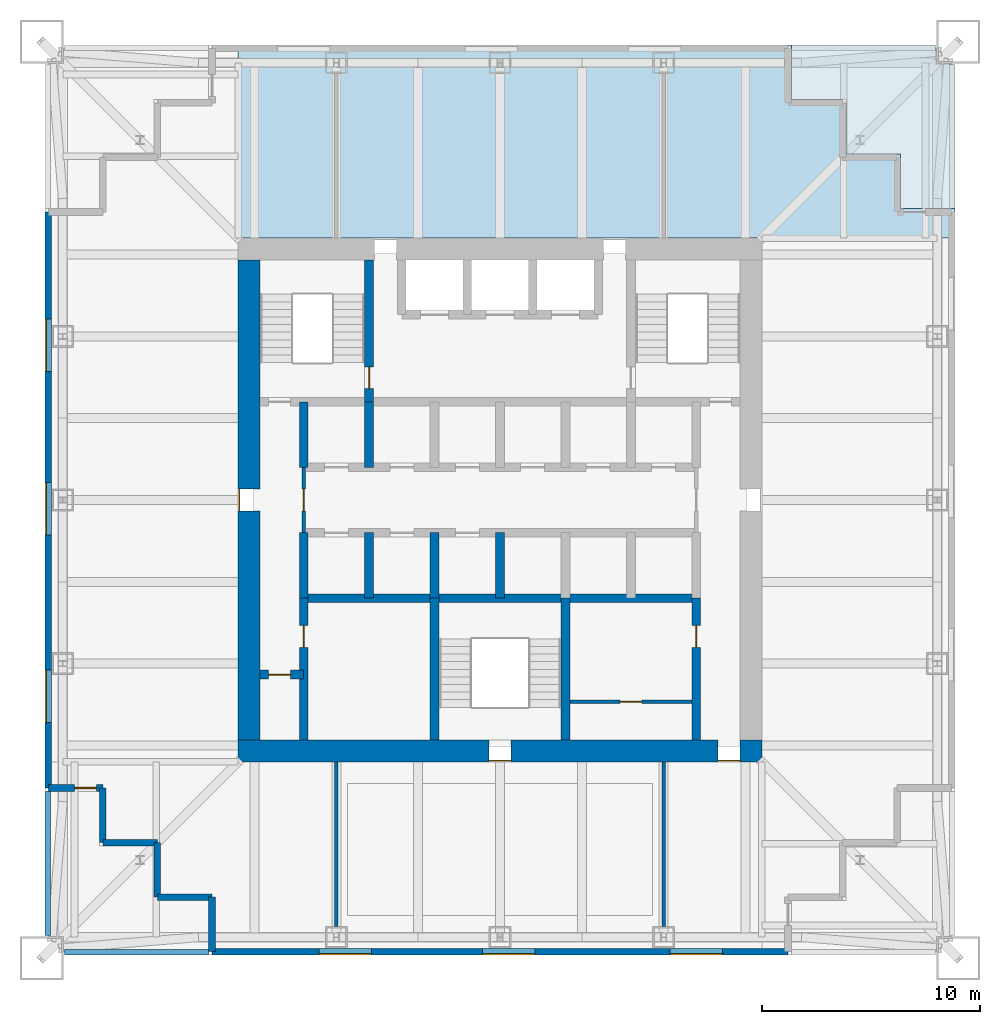
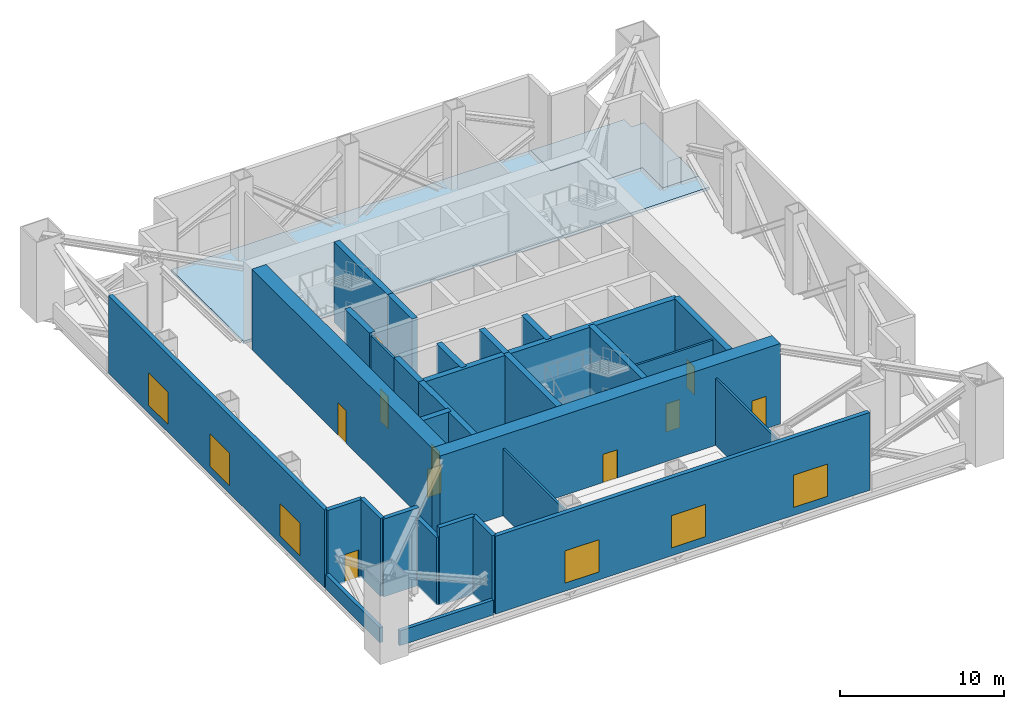
# One storey, part 3 of 7: 29 walls, 10 doors, 6 windows, 2 slabs, 16 openings.
"""IFC4 building model written with IfcOpenShell, lengths in metres."""

from ifc_helpers import new_model, si_unit, direction, frame, frame_2d, origin, place, context, subcontext, project, spatial, polyline, rectangle, outline, extrude, material, layer, layer_set, type_object, element, fill, save


model = new_model("IFC4")

# Units and contexts
model_context = context("Model", 3, precision=1e-05, world=origin(), true_north=direction((0.0, 1.0)))
body_context = subcontext(model_context, "Body", "Model", "MODEL_VIEW")
ifc_project = project(units=[si_unit("LENGTHUNIT", "METRE"), si_unit("AREAUNIT", "SQUARE_METRE"), si_unit("VOLUMEUNIT", "CUBIC_METRE"), si_unit("PLANEANGLEUNIT", "RADIAN"), si_unit("MASSUNIT", "GRAM", prefix="KILO")], contexts=[model_context])

# Site, building, storey
site_placement = place(None, origin())
site = spatial("IfcSite", under=ifc_project, at=site_placement, CompositionType="ELEMENT")
building_placement = place(site_placement, origin())
building = spatial("IfcBuilding", under=site, at=building_placement, Name="Tarangal Relay Tower", CompositionType="ELEMENT")
storey_placement = place(building_placement, frame((0.0, 0.0, 335.89990234375)))
storey = spatial("IfcBuildingStorey", under=building, at=storey_placement, Name="L75", CompositionType="ELEMENT", Elevation=335.89990234375)

# Slabs
ifc_material_1 = material(Name="Concrete fc' 35 MPa", Category="concrete")
ifc_layer_1 = layer(ifc_material_1, 0.199951171875)
ifc_layer_set_1 = layer_set([ifc_layer_1], Name="Floor slab 200")
slab_type_1 = type_object("IfcSlabType", Name="Floor slab 200", PredefinedType="FLOOR", material=ifc_layer_set_1)
slab_1_placement = place(storey_placement, frame((0.0, 0.0, -0.199951171875)))
element("IfcSlab", 1, at=slab_1_placement, inside=storey, type_object=slab_type_1, Name="Floor slab FS2 L75 north bay", PredefinedType="FLOOR", context=body_context, shape_type="SweptSolid", body=[
    extrude(outline(polyline([(13.35009765625, 20.85009765625), (13.35009765625, 18.35009765625), (15.85009765625, 18.35009765625), (15.85009765625, 15.85009765625), (18.35009765625, 15.85009765625), (18.35009765625, 13.35009765625), (20.85009765625, 13.35009765625), (20.85009765625, 12.0), (-12.0, 12.0), (-12.0, 20.85009765625), (13.35009765625, 20.85009765625)])), origin(), (0.0, 0.0, 1.0), 0.199951171875),
])
ifc_layer_2 = layer(ifc_material_1, 0.199951171875)
ifc_layer_set_2 = layer_set([ifc_layer_2], Name="Ledge slab 200")
slab_type_2 = type_object("IfcSlabType", Name="Ledge slab 200", PredefinedType="FLOOR", material=ifc_layer_set_2)
slab_2_placement = place(storey_placement, frame((0.0, 0.0, -0.199951171875)))
element("IfcSlab", 2, at=slab_2_placement, inside=storey, type_object=slab_type_2, Name="Corner ledge NE L75", PredefinedType="FLOOR", context=body_context, shape_type="SweptSolid", body=[
    extrude(outline(polyline([(13.35009765625, 20.85009765625), (13.35009765625, 18.35009765625), (15.85009765625, 18.35009765625), (15.85009765625, 15.85009765625), (18.35009765625, 15.85009765625), (18.35009765625, 13.35009765625), (20.85009765625, 13.35009765625), (20.85009765625, 19.949951171875), (19.949951171875, 19.949951171875), (19.949951171875, 20.85009765625), (13.35009765625, 20.85009765625)])), origin(), (0.0, 0.0, 1.0), 0.199951171875),
])

# Wall
ifc_material_2 = material(Name="Concrete fc' 60 MPa", Category="concrete")
ifc_layer_3 = layer(ifc_material_2, 0.39990234375)
ifc_layer_set_3 = layer_set([ifc_layer_3], Name="Core inner wall 400")
wall_type_1 = type_object("IfcWallType", Name="Core inner wall 400", PredefinedType="SHEAR", material=ifc_layer_set_3)
wall_1_placement = place(storey_placement, frame((-9.0, -4.5, 0.0), z_axis=(0.0, 0.0, 1.0), x_axis=(1.0, 0.0, 0.0)))
element("IfcWall", 3, at=wall_1_placement, inside=storey, type_object=wall_type_1, Name="Core wall YM45 L75", PredefinedType="SHEAR", context=body_context, shape_type="SweptSolid", body=[
    extrude(rectangle(XDim=18.0, YDim=0.39990234375, at=frame_2d((9.0, 0.0))), origin(), (0.0, 0.0, 1.0), 6.0),
])

# Wall, opening, door
wall_2_placement = place(storey_placement, frame((-11.0, -8.0, 0.0), z_axis=(0.0, 0.0, 1.0), x_axis=(1.0, 0.0, 0.0)))
wall_2 = element("IfcWall", 4, at=wall_2_placement, inside=storey, type_object=wall_type_1, Name="Core wall YM8 L75", PredefinedType="SHEAR", context=body_context, shape_type="SweptSolid", body=[
    extrude(rectangle(XDim=2.0, YDim=0.39990234375, at=frame_2d((1.0, 0.0))), origin(), (0.0, 0.0, 1.0), 6.0),
])
opening_1_placement = place(wall_2_placement, frame((0.39990234375, 0.0, 0.0)))
opening_1 = element("IfcOpeningElement", 5, at=opening_1_placement, cuts=wall_2, Name="Opening D1", PredefinedType="OPENING", context=body_context, shape_type="SweptSolid", body=[
    extrude(rectangle(XDim=1.0, YDim=2.10009765625, at=frame_2d((0.5, 1.050048828125))), frame((0.0, 0.2099609375, 0.0), z_axis=(0.0, -1.0, 0.0), x_axis=(1.0, 0.0, 0.0)), (0.0, 0.0, 1.0), 0.419921875),
])
ifc_material_3 = material(Name="Hardwood door", Category="wood")
door_type_1 = type_object("IfcDoorType", Name="WC door 1000 x 2100", OperationType="SINGLE_SWING_LEFT", PredefinedType="DOOR", material=ifc_material_3)
door_1_placement = place(opening_1_placement, origin())
door_1 = element("IfcDoor", 6, at=door_1_placement, inside=storey, type_object=door_type_1, Name="Accessible WC door L75", OperationType="SINGLE_SWING_LEFT", OverallHeight=2.10009765625, OverallWidth=1.0, PredefinedType="DOOR", context=body_context, shape_type="SweptSolid", body=[
    extrude(rectangle(XDim=1.0, YDim=2.10009765625, at=frame_2d((0.5, 1.050048828125))), frame((0.0, 0.02490234375, 0.0), z_axis=(0.0, -1.0, 0.0), x_axis=(1.0, 0.0, 0.0)), (0.0, 0.0, 1.0), 0.050048828125),
])
fill(opening_1, door_1)

# Walls
for number, where, z_axis, x_axis, name in (
    (7, (-9.0, 1.5, 0.0), (0.0, 0.0, 1.0), (0.0, 1.0, 0.0), "Core wall XM9N L75"),
    (8, (-9.0, -4.5, 0.0), (0.0, 0.0, 1.0), (0.0, 1.0, 0.0), "Core wall XM9S L75"),
    (9, (-6.0, 1.5, 0.0), (0.0, 0.0, 1.0), (0.0, 1.0, 0.0), "Core wall XM6N L75"),
    (10, (-6.0, -4.5, 0.0), (0.0, 0.0, 1.0), (0.0, 1.0, 0.0), "Core wall XM6S L75"),
    (11, (-3.0, -4.5, 0.0), (0.0, 0.0, 1.0), (0.0, 1.0, 0.0), "Core wall XM3S L75"),
    (12, (0.0, -4.5, 0.0), (0.0, 0.0, 1.0), (0.0, 1.0, 0.0), "Core wall X0S L75"),
):
    element("IfcWall", number, at=place(storey_placement, frame(where, z_axis=z_axis, x_axis=x_axis)), inside=storey, type_object=wall_type_1, Name=name, PredefinedType="SHEAR", context=body_context, shape_type="SweptSolid", body=[
        extrude(rectangle(XDim=3.0, YDim=0.39990234375, at=frame_2d((1.5, 0.0))), origin(), (0.0, 0.0, 1.0), 6.0),
    ])

# Wall, opening, door
wall_3_placement = place(storey_placement, frame((-6.0, 4.5, 0.0), z_axis=(0.0, 0.0, 1.0), x_axis=(0.0, 1.0, 0.0)))
wall_3 = element("IfcWall", 13, at=wall_3_placement, inside=storey, type_object=wall_type_1, Name="Core wall XM6 L75", PredefinedType="SHEAR", context=body_context, shape_type="SweptSolid", body=[
    extrude(rectangle(XDim=6.5, YDim=0.39990234375, at=frame_2d((3.25, 0.0))), origin(), (0.0, 0.0, 1.0), 6.0),
])
opening_2_placement = place(wall_3_placement, frame((0.60009765625, 0.0, 0.0)))
opening_2 = element("IfcOpeningElement", 14, at=opening_2_placement, cuts=wall_3, Name="Opening FD1", PredefinedType="OPENING", context=body_context, shape_type="SweptSolid", body=[
    extrude(rectangle(XDim=1.0, YDim=2.10009765625, at=frame_2d((0.5, 1.050048828125))), frame((0.0, 0.2099609375, 0.0), z_axis=(0.0, -1.0, 0.0), x_axis=(1.0, 0.0, 0.0)), (0.0, 0.0, 1.0), 0.419921875),
])
ifc_material_4 = material(Name="Steel door with hardwood frame", Category="steel")
door_type_2 = type_object("IfcDoorType", Name="Fire door 1000 x 2100", OperationType="SINGLE_SWING_LEFT", PredefinedType="DOOR", material=ifc_material_4)
door_2_placement = place(opening_2_placement, origin())
door_2 = element("IfcDoor", 15, at=door_2_placement, inside=storey, type_object=door_type_2, Name="Stair ST-A door from fire-fighting lobby L75", OperationType="SINGLE_SWING_LEFT", OverallHeight=2.10009765625, OverallWidth=1.0, PredefinedType="DOOR", context=body_context, shape_type="SweptSolid", body=[
    extrude(rectangle(XDim=1.0, YDim=2.10009765625, at=frame_2d((0.5, 1.050048828125))), frame((0.0, 0.02490234375, 0.0), z_axis=(0.0, -1.0, 0.0), x_axis=(1.0, 0.0, 0.0)), (0.0, 0.0, 1.0), 0.050048828125),
])
fill(opening_2, door_2)

wall_4_placement = place(storey_placement, frame((-9.0, -11.0, 0.0), z_axis=(0.0, 0.0, 1.0), x_axis=(0.0, 1.0, 0.0)))
wall_4 = element("IfcWall", 16, at=wall_4_placement, inside=storey, type_object=wall_type_1, Name="Core wall XM9W L75", PredefinedType="SHEAR", context=body_context, shape_type="SweptSolid", body=[
    extrude(rectangle(XDim=6.5, YDim=0.39990234375, at=frame_2d((3.25, 0.0))), origin(), (0.0, 0.0, 1.0), 6.0),
])
opening_3_placement = place(wall_4_placement, frame((4.25, 0.0, 0.0)))
opening_3 = element("IfcOpeningElement", 17, at=opening_3_placement, cuts=wall_4, Name="Opening D1", PredefinedType="OPENING", context=body_context, shape_type="SweptSolid", body=[
    extrude(rectangle(XDim=1.0, YDim=2.10009765625, at=frame_2d((0.5, 1.050048828125))), frame((0.0, 0.2099609375, 0.0), z_axis=(0.0, -1.0, 0.0), x_axis=(1.0, 0.0, 0.0)), (0.0, 0.0, 1.0), 0.419921875),
])
door_3_placement = place(opening_3_placement, origin())
door_3 = element("IfcDoor", 18, at=door_3_placement, inside=storey, type_object=door_type_1, Name="Male WC door L75", OperationType="SINGLE_SWING_LEFT", OverallHeight=2.10009765625, OverallWidth=1.0, PredefinedType="DOOR", context=body_context, shape_type="SweptSolid", body=[
    extrude(rectangle(XDim=1.0, YDim=2.10009765625, at=frame_2d((0.5, 1.050048828125))), frame((0.0, 0.02490234375, 0.0), z_axis=(0.0, -1.0, 0.0), x_axis=(1.0, 0.0, 0.0)), (0.0, 0.0, 1.0), 0.050048828125),
])
fill(opening_3, door_3)

wall_5_placement = place(storey_placement, frame((9.0, -11.0, 0.0), z_axis=(0.0, 0.0, 1.0), x_axis=(0.0, 1.0, 0.0)))
wall_5 = element("IfcWall", 19, at=wall_5_placement, inside=storey, type_object=wall_type_1, Name="Core wall X9W L75", PredefinedType="SHEAR", context=body_context, shape_type="SweptSolid", body=[
    extrude(rectangle(XDim=6.5, YDim=0.39990234375, at=frame_2d((3.25, 0.0))), origin(), (0.0, 0.0, 1.0), 6.0),
])
opening_4_placement = place(wall_5_placement, frame((4.25, 0.0, 0.0)))
opening_4 = element("IfcOpeningElement", 20, at=opening_4_placement, cuts=wall_5, Name="Opening D1", PredefinedType="OPENING", context=body_context, shape_type="SweptSolid", body=[
    extrude(rectangle(XDim=1.0, YDim=2.10009765625, at=frame_2d((0.5, 1.050048828125))), frame((0.0, 0.2099609375, 0.0), z_axis=(0.0, -1.0, 0.0), x_axis=(1.0, 0.0, 0.0)), (0.0, 0.0, 1.0), 0.419921875),
])
door_4_placement = place(opening_4_placement, origin())
door_4 = element("IfcDoor", 21, at=door_4_placement, inside=storey, type_object=door_type_1, Name="Female WC door L75", OperationType="SINGLE_SWING_LEFT", OverallHeight=2.10009765625, OverallWidth=1.0, PredefinedType="DOOR", context=body_context, shape_type="SweptSolid", body=[
    extrude(rectangle(XDim=1.0, YDim=2.10009765625, at=frame_2d((0.5, 1.050048828125))), frame((0.0, 0.02490234375, 0.0), z_axis=(0.0, -1.0, 0.0), x_axis=(1.0, 0.0, 0.0)), (0.0, 0.0, 1.0), 0.050048828125),
])
fill(opening_4, door_4)

# Walls
for number, where, z_axis, x_axis, name in (
    (22, (-3.0, -11.0, 0.0), (0.0, 0.0, 1.0), (0.0, 1.0, 0.0), "Core wall XM3W L75"),
    (23, (3.0, -11.0, 0.0), (0.0, 0.0, 1.0), (0.0, 1.0, 0.0), "Core wall X3W L75"),
):
    element("IfcWall", number, at=place(storey_placement, frame(where, z_axis=z_axis, x_axis=x_axis)), inside=storey, type_object=wall_type_1, Name=name, PredefinedType="SHEAR", context=body_context, shape_type="SweptSolid", body=[
        extrude(rectangle(XDim=6.5, YDim=0.39990234375, at=frame_2d((3.25, 0.0))), origin(), (0.0, 0.0, 1.0), 6.0),
    ])

# Wall, openings, doors
ifc_layer_4 = layer(ifc_material_2, 1.0)
ifc_layer_set_4 = layer_set([ifc_layer_4], Name="Core wall 1000")
wall_type_2 = type_object("IfcWallType", Name="Core wall 1000", PredefinedType="SHEAR", material=ifc_layer_set_4)
wall_6_placement = place(storey_placement, frame((12.0, -11.5, 0.0), z_axis=(0.0, 0.0, 1.0), x_axis=(-1.0, 0.0, 0.0)))
wall_6 = element("IfcWall", 24, at=wall_6_placement, inside=storey, type_object=wall_type_2, Name="Core wall S L75", PredefinedType="SHEAR", context=body_context, shape_type="SweptSolid", body=[
    extrude(rectangle(XDim=24.0, YDim=1.0, at=frame_2d((12.0, 0.0))), origin(), (0.0, 0.0, 1.0), 6.0),
])
opening_5_placement = place(wall_6_placement, frame((11.5, 0.0, 0.0)))
opening_5 = element("IfcOpeningElement", 25, at=opening_5_placement, cuts=wall_6, Name="Opening FD1", PredefinedType="OPENING", context=body_context, shape_type="SweptSolid", body=[
    extrude(rectangle(XDim=1.0, YDim=2.10009765625, at=frame_2d((0.5, 1.050048828125))), frame((0.0, 0.510009765625, 0.0), z_axis=(0.0, -1.0, 0.0), x_axis=(1.0, 0.0, 0.0)), (0.0, 0.0, 1.0), 1.02001953125),
])
opening_6_placement = place(wall_6_placement, frame((1.0, 0.0, 0.0)))
opening_6 = element("IfcOpeningElement", 26, at=opening_6_placement, cuts=wall_6, Name="Opening FD3", PredefinedType="OPENING", context=body_context, shape_type="SweptSolid", body=[
    extrude(rectangle(XDim=1.0, YDim=2.39990234375, at=frame_2d((0.5, 1.199951171875))), frame((0.0, 0.510009765625, 0.0), z_axis=(0.0, -1.0, 0.0), x_axis=(1.0, 0.0, 0.0)), (0.0, 0.0, 1.0), 1.02001953125),
])
door_5_placement = place(opening_5_placement, origin())
door_5 = element("IfcDoor", 27, at=door_5_placement, inside=storey, type_object=door_type_2, Name="Stair ST-C door L75", OperationType="SINGLE_SWING_LEFT", OverallHeight=2.10009765625, OverallWidth=1.0, PredefinedType="DOOR", context=body_context, shape_type="SweptSolid", body=[
    extrude(rectangle(XDim=1.0, YDim=2.10009765625, at=frame_2d((0.5, 1.050048828125))), frame((0.0, 0.48486328125, 0.0), z_axis=(0.0, -1.0, 0.0), x_axis=(1.0, 0.0, 0.0)), (0.0, 0.0, 1.0), 0.050048828125),
])
fill(opening_5, door_5)
door_type_3 = type_object("IfcDoorType", Name="Fire door 1000 x 2400 core entry", OperationType="SINGLE_SWING_RIGHT", PredefinedType="DOOR", material=ifc_material_4)
door_6_placement = place(opening_6_placement, origin())
door_6 = element("IfcDoor", 28, at=door_6_placement, inside=storey, type_object=door_type_3, Name="Core entry door south east L75", OperationType="SINGLE_SWING_RIGHT", OverallHeight=2.39990234375, OverallWidth=1.0, PredefinedType="DOOR", context=body_context, shape_type="SweptSolid", body=[
    extrude(rectangle(XDim=1.0, YDim=2.39990234375, at=frame_2d((0.5, 1.199951171875))), frame((0.0, 0.48486328125, 0.0), z_axis=(0.0, -1.0, 0.0), x_axis=(1.0, 0.0, 0.0)), (0.0, 0.0, 1.0), 0.050048828125),
])
fill(opening_6, door_6)

# Wall, opening, door
wall_7_placement = place(storey_placement, frame((-11.5, -11.0, 0.0), z_axis=(0.0, 0.0, 1.0), x_axis=(0.0, 1.0, 0.0)))
wall_7 = element("IfcWall", 29, at=wall_7_placement, inside=storey, type_object=wall_type_2, Name="Core wall W L75", PredefinedType="SHEAR", context=body_context, shape_type="SweptSolid", body=[
    extrude(rectangle(XDim=22.0, YDim=1.0, at=frame_2d((11.0, 0.0))), origin(), (0.0, 0.0, 1.0), 6.0),
])
opening_7_placement = place(wall_7_placement, frame((10.5, 0.0, 0.0)))
opening_7 = element("IfcOpeningElement", 30, at=opening_7_placement, cuts=wall_7, Name="Opening FD3", PredefinedType="OPENING", context=body_context, shape_type="SweptSolid", body=[
    extrude(rectangle(XDim=1.0, YDim=2.39990234375, at=frame_2d((0.5, 1.199951171875))), frame((0.0, 0.510009765625, 0.0), z_axis=(0.0, -1.0, 0.0), x_axis=(1.0, 0.0, 0.0)), (0.0, 0.0, 1.0), 1.02001953125),
])
door_7_placement = place(opening_7_placement, origin())
door_7 = element("IfcDoor", 31, at=door_7_placement, inside=storey, type_object=door_type_3, Name="Core entry door west L75", OperationType="SINGLE_SWING_RIGHT", OverallHeight=2.39990234375, OverallWidth=1.0, PredefinedType="DOOR", context=body_context, shape_type="SweptSolid", body=[
    extrude(rectangle(XDim=1.0, YDim=2.39990234375, at=frame_2d((0.5, 1.199951171875))), frame((0.0, 0.48486328125, 0.0), z_axis=(0.0, -1.0, 0.0), x_axis=(1.0, 0.0, 0.0)), (0.0, 0.0, 1.0), 0.050048828125),
])
fill(opening_7, door_7)

# Wall, openings, windows
ifc_material_5 = material(Name="Insulated precast concrete fc' 40 MPa", Category="concrete")
ifc_layer_5 = layer(ifc_material_5, 0.300048828125)
ifc_layer_set_5 = layer_set([ifc_layer_5], Name="Insulated precast concrete fc' 40 MPa")
wall_type_3 = type_object("IfcWallType", Name="Facade wall precast 300", PredefinedType="SOLIDWALL", material=ifc_layer_set_5)
wall_8_placement = place(storey_placement, frame((13.199951171875, -20.699951171875, 0.0), z_axis=(0.0, 0.0, 1.0), x_axis=(-1.0, 0.0, 0.0)))
wall_8 = element("IfcWall", 32, at=wall_8_placement, inside=storey, type_object=wall_type_3, Name="Facade wall S facade L75", PredefinedType="SOLIDWALL", context=body_context, shape_type="SweptSolid", body=[
    extrude(rectangle(XDim=26.39990234375, YDim=0.300048828125, at=frame_2d((13.199951171875, 0.0))), origin(), (0.0, 0.0, 1.0), 5.800048828125),
])
opening_8_placement = place(wall_8_placement, frame((3.0, 0.0, 0.60009765625)))
opening_8 = element("IfcOpeningElement", 33, at=opening_8_placement, cuts=wall_8, Name="Opening LV1", PredefinedType="OPENING", context=body_context, shape_type="SweptSolid", body=[
    extrude(rectangle(XDim=2.39990234375, YDim=2.39990234375, at=frame_2d((1.199951171875, 1.199951171875))), frame((0.0, 0.159912109375, 0.0), z_axis=(0.0, -1.0, 0.0), x_axis=(1.0, 0.0, 0.0)), (0.0, 0.0, 1.0), 0.320068359375),
])
opening_9_placement = place(wall_8_placement, frame((11.60009765625, 0.0, 0.60009765625)))
opening_9 = element("IfcOpeningElement", 34, at=opening_9_placement, cuts=wall_8, Name="Opening LV1", PredefinedType="OPENING", context=body_context, shape_type="SweptSolid", body=[
    extrude(rectangle(XDim=2.39990234375, YDim=2.39990234375, at=frame_2d((1.199951171875, 1.199951171875))), frame((0.0, 0.159912109375, 0.0), z_axis=(0.0, -1.0, 0.0), x_axis=(1.0, 0.0, 0.0)), (0.0, 0.0, 1.0), 0.320068359375),
])
opening_10_placement = place(wall_8_placement, frame((19.10009765625, 0.0, 0.60009765625)))
opening_10 = element("IfcOpeningElement", 35, at=opening_10_placement, cuts=wall_8, Name="Opening LV1", PredefinedType="OPENING", context=body_context, shape_type="SweptSolid", body=[
    extrude(rectangle(XDim=2.39990234375, YDim=2.39990234375, at=frame_2d((1.199951171875, 1.199951171875))), frame((0.0, 0.159912109375, 0.0), z_axis=(0.0, -1.0, 0.0), x_axis=(1.0, 0.0, 0.0)), (0.0, 0.0, 1.0), 0.320068359375),
])
ifc_material_6 = material(Name="Black aluminium weather louvre", Category="aluminium")
window_type = type_object("IfcWindowType", Name="Louvre 2400 x 2400", PartitioningType="SINGLE_PANEL", PredefinedType="WINDOW", material=ifc_material_6)
window_1_placement = place(opening_8_placement, origin())
window_1 = element("IfcWindow", 36, at=window_1_placement, inside=storey, type_object=window_type, Name="Louvre LV1 S facade L75", OverallHeight=2.39990234375, OverallWidth=2.39990234375, PartitioningType="SINGLE_PANEL", PredefinedType="WINDOW", context=body_context, shape_type="SweptSolid", body=[
    extrude(rectangle(XDim=2.39990234375, YDim=2.39990234375, at=frame_2d((1.199951171875, 1.199951171875))), frame((0.0, 0.150146484375, 0.0), z_axis=(0.0, -1.0, 0.0), x_axis=(1.0, 0.0, 0.0)), (0.0, 0.0, 1.0), 0.06005859375),
])
fill(opening_8, window_1)
window_2_placement = place(opening_9_placement, origin())
window_2 = element("IfcWindow", 37, at=window_2_placement, inside=storey, type_object=window_type, Name="Louvre LV1 S facade L75", OverallHeight=2.39990234375, OverallWidth=2.39990234375, PartitioningType="SINGLE_PANEL", PredefinedType="WINDOW", context=body_context, shape_type="SweptSolid", body=[
    extrude(rectangle(XDim=2.39990234375, YDim=2.39990234375, at=frame_2d((1.199951171875, 1.199951171875))), frame((0.0, 0.150146484375, 0.0), z_axis=(0.0, -1.0, 0.0), x_axis=(1.0, 0.0, 0.0)), (0.0, 0.0, 1.0), 0.06005859375),
])
fill(opening_9, window_2)
window_3_placement = place(opening_10_placement, origin())
window_3 = element("IfcWindow", 38, at=window_3_placement, inside=storey, type_object=window_type, Name="Louvre LV1 S facade L75", OverallHeight=2.39990234375, OverallWidth=2.39990234375, PartitioningType="SINGLE_PANEL", PredefinedType="WINDOW", context=body_context, shape_type="SweptSolid", body=[
    extrude(rectangle(XDim=2.39990234375, YDim=2.39990234375, at=frame_2d((1.199951171875, 1.199951171875))), frame((0.0, 0.150146484375, 0.0), z_axis=(0.0, -1.0, 0.0), x_axis=(1.0, 0.0, 0.0)), (0.0, 0.0, 1.0), 0.06005859375),
])
fill(opening_10, window_3)

# Walls
for number, where, z_axis, x_axis, name in (
    (39, (-13.199951171875, -20.699951171875, 0.0), (0.0, 0.0, 1.0), (0.0, 1.0, 0.0), "Facade wall S facade L75"),
    (40, (-13.199951171875, -18.199951171875, 0.0), (0.0, 0.0, 1.0), (-1.0, 0.0, 0.0), "Facade wall S facade L75"),
):
    element("IfcWall", number, at=place(storey_placement, frame(where, z_axis=z_axis, x_axis=x_axis)), inside=storey, type_object=wall_type_3, Name=name, PredefinedType="SOLIDWALL", context=body_context, shape_type="SweptSolid", body=[
        extrude(rectangle(XDim=2.5, YDim=0.300048828125, at=frame_2d((1.25, 0.0))), origin(), (0.0, 0.0, 1.0), 5.800048828125),
    ])
wall_9_placement = place(storey_placement, frame((-15.699951171875, -18.199951171875, 0.0), z_axis=(0.0, 0.0, 1.0), x_axis=(0.0, 1.0, 0.0)))
element("IfcWall", 41, at=wall_9_placement, inside=storey, type_object=wall_type_3, Name="Facade wall S facade L75", PredefinedType="SOLIDWALL", context=body_context, shape_type="SweptSolid", body=[
    extrude(rectangle(XDim=2.5, YDim=0.300048828125, at=frame_2d((1.25, 0.0))), origin(), (0.0, 0.0, 1.0), 5.045654296875),
])
for number, where, z_axis, x_axis, name in (
    (42, (-15.699951171875, -15.699951171875, 0.0), (0.0, 0.0, 1.0), (-1.0, 0.0, 0.0), "Facade wall S facade L75"),
    (43, (-18.199951171875, -15.699951171875, 0.0), (0.0, 0.0, 1.0), (0.0, 1.0, 0.0), "Facade wall S facade L75"),
):
    element("IfcWall", number, at=place(storey_placement, frame(where, z_axis=z_axis, x_axis=x_axis)), inside=storey, type_object=wall_type_3, Name=name, PredefinedType="SOLIDWALL", context=body_context, shape_type="SweptSolid", body=[
        extrude(rectangle(XDim=2.5, YDim=0.300048828125, at=frame_2d((1.25, 0.0))), origin(), (0.0, 0.0, 1.0), 5.800048828125),
    ])

# Wall, opening, door
wall_10_placement = place(storey_placement, frame((-18.199951171875, -13.199951171875, 0.0), z_axis=(0.0, 0.0, 1.0), x_axis=(-1.0, 0.0, 0.0)))
wall_10 = element("IfcWall", 44, at=wall_10_placement, inside=storey, type_object=wall_type_3, Name="Facade wall S facade L75", PredefinedType="SOLIDWALL", context=body_context, shape_type="SweptSolid", body=[
    extrude(rectangle(XDim=2.5, YDim=0.300048828125, at=frame_2d((1.25, 0.0))), origin(), (0.0, 0.0, 1.0), 5.800048828125),
])
opening_11_placement = place(wall_10_placement, frame((0.300048828125, 0.0, 0.0)))
opening_11 = element("IfcOpeningElement", 45, at=opening_11_placement, cuts=wall_10, Name="Opening MD1", PredefinedType="OPENING", context=body_context, shape_type="SweptSolid", body=[
    extrude(rectangle(XDim=1.0, YDim=2.10009765625, at=frame_2d((0.5, 1.050048828125))), frame((0.0, 0.159912109375, 0.0), z_axis=(0.0, -1.0, 0.0), x_axis=(1.0, 0.0, 0.0)), (0.0, 0.0, 1.0), 0.320068359375),
])
door_type_4 = type_object("IfcDoorType", Name="Maintenance access door 1000 x 2100", OperationType="SINGLE_SWING_RIGHT", PredefinedType="DOOR", material=ifc_material_4)
door_8_placement = place(opening_11_placement, origin())
door_8 = element("IfcDoor", 46, at=door_8_placement, inside=storey, type_object=door_type_4, Name="Maintenance access door MD1 SW L75", OperationType="SINGLE_SWING_RIGHT", OverallHeight=2.10009765625, OverallWidth=1.0, PredefinedType="DOOR", context=body_context, shape_type="SweptSolid", body=[
    extrude(rectangle(XDim=1.0, YDim=2.10009765625, at=frame_2d((0.5, 1.050048828125))), frame((0.0, 0.02490234375, 0.0), z_axis=(0.0, -1.0, 0.0), x_axis=(1.0, 0.0, 0.0)), (0.0, 0.0, 1.0), 0.050048828125),
])
fill(opening_11, door_8)

# Wall, openings, windows
wall_11_placement = place(storey_placement, frame((-20.699951171875, -13.199951171875, 0.0), z_axis=(0.0, 0.0, 1.0), x_axis=(0.0, 1.0, 0.0)))
wall_11 = element("IfcWall", 47, at=wall_11_placement, inside=storey, type_object=wall_type_3, Name="Facade wall W facade L75", PredefinedType="SOLIDWALL", context=body_context, shape_type="SweptSolid", body=[
    extrude(rectangle(XDim=26.39990234375, YDim=0.300048828125, at=frame_2d((13.199951171875, 0.0))), origin(), (0.0, 0.0, 1.0), 5.800048828125),
])
opening_12_placement = place(wall_11_placement, frame((3.0, 0.0, 0.60009765625)))
opening_12 = element("IfcOpeningElement", 48, at=opening_12_placement, cuts=wall_11, Name="Opening LV1", PredefinedType="OPENING", context=body_context, shape_type="SweptSolid", body=[
    extrude(rectangle(XDim=2.39990234375, YDim=2.39990234375, at=frame_2d((1.199951171875, 1.199951171875))), frame((0.0, 0.159912109375, 0.0), z_axis=(0.0, -1.0, 0.0), x_axis=(1.0, 0.0, 0.0)), (0.0, 0.0, 1.0), 0.320068359375),
])
opening_13_placement = place(wall_11_placement, frame((11.60009765625, 0.0, 0.60009765625)))
opening_13 = element("IfcOpeningElement", 49, at=opening_13_placement, cuts=wall_11, Name="Opening LV1", PredefinedType="OPENING", context=body_context, shape_type="SweptSolid", body=[
    extrude(rectangle(XDim=2.39990234375, YDim=2.39990234375, at=frame_2d((1.199951171875, 1.199951171875))), frame((0.0, 0.159912109375, 0.0), z_axis=(0.0, -1.0, 0.0), x_axis=(1.0, 0.0, 0.0)), (0.0, 0.0, 1.0), 0.320068359375),
])
opening_14_placement = place(wall_11_placement, frame((19.10009765625, 0.0, 0.60009765625)))
opening_14 = element("IfcOpeningElement", 50, at=opening_14_placement, cuts=wall_11, Name="Opening LV1", PredefinedType="OPENING", context=body_context, shape_type="SweptSolid", body=[
    extrude(rectangle(XDim=2.39990234375, YDim=2.39990234375, at=frame_2d((1.199951171875, 1.199951171875))), frame((0.0, 0.159912109375, 0.0), z_axis=(0.0, -1.0, 0.0), x_axis=(1.0, 0.0, 0.0)), (0.0, 0.0, 1.0), 0.320068359375),
])
window_4_placement = place(opening_12_placement, origin())
window_4 = element("IfcWindow", 51, at=window_4_placement, inside=storey, type_object=window_type, Name="Louvre LV1 W facade L75", OverallHeight=2.39990234375, OverallWidth=2.39990234375, PartitioningType="SINGLE_PANEL", PredefinedType="WINDOW", context=body_context, shape_type="SweptSolid", body=[
    extrude(rectangle(XDim=2.39990234375, YDim=2.39990234375, at=frame_2d((1.199951171875, 1.199951171875))), frame((0.0, 0.150146484375, 0.0), z_axis=(0.0, -1.0, 0.0), x_axis=(1.0, 0.0, 0.0)), (0.0, 0.0, 1.0), 0.06005859375),
])
fill(opening_12, window_4)
window_5_placement = place(opening_13_placement, origin())
window_5 = element("IfcWindow", 52, at=window_5_placement, inside=storey, type_object=window_type, Name="Louvre LV1 W facade L75", OverallHeight=2.39990234375, OverallWidth=2.39990234375, PartitioningType="SINGLE_PANEL", PredefinedType="WINDOW", context=body_context, shape_type="SweptSolid", body=[
    extrude(rectangle(XDim=2.39990234375, YDim=2.39990234375, at=frame_2d((1.199951171875, 1.199951171875))), frame((0.0, 0.150146484375, 0.0), z_axis=(0.0, -1.0, 0.0), x_axis=(1.0, 0.0, 0.0)), (0.0, 0.0, 1.0), 0.06005859375),
])
fill(opening_13, window_5)
window_6_placement = place(opening_14_placement, origin())
window_6 = element("IfcWindow", 53, at=window_6_placement, inside=storey, type_object=window_type, Name="Louvre LV1 W facade L75", OverallHeight=2.39990234375, OverallWidth=2.39990234375, PartitioningType="SINGLE_PANEL", PredefinedType="WINDOW", context=body_context, shape_type="SweptSolid", body=[
    extrude(rectangle(XDim=2.39990234375, YDim=2.39990234375, at=frame_2d((1.199951171875, 1.199951171875))), frame((0.0, 0.150146484375, 0.0), z_axis=(0.0, -1.0, 0.0), x_axis=(1.0, 0.0, 0.0)), (0.0, 0.0, 1.0), 0.06005859375),
])
fill(opening_14, window_6)

# Walls
ifc_material_7 = material(Name="Concrete parapet with metal coping", Category="concrete")
ifc_layer_6 = layer(ifc_material_7, 0.25)
ifc_layer_set_6 = layer_set([ifc_layer_6], Name="Parapet 250")
wall_type_4 = type_object("IfcWallType", Name="Parapet 250", PredefinedType="PARAPET", material=ifc_layer_set_6)
for number, where, z_axis, x_axis, name in (
    (54, (-13.35009765625, -20.72509765625, 0.0), (0.0, 0.0, 1.0), (-1.0, 0.0, 0.0), "Ledge parapet PP1 SW L75"),
    (55, (-20.72509765625, -19.949951171875, 0.0), (0.0, 0.0, 1.0), (0.0, 1.0, 0.0), "Ledge parapet PP1 SW L75"),
):
    element("IfcWall", number, at=place(storey_placement, frame(where, z_axis=z_axis, x_axis=x_axis)), inside=storey, type_object=wall_type_4, Name=name, PredefinedType="PARAPET", context=body_context, shape_type="SweptSolid", body=[
        extrude(rectangle(XDim=6.599853515625, YDim=0.25, at=frame_2d((3.2998046875, 0.0))), origin(), (0.0, 0.0, 1.0), 1.10009765625),
    ])
ifc_material_8 = material(Name="Gypsum board on steel studs", Category="steel")
ifc_layer_7 = layer(ifc_material_8, 0.14990234375)
ifc_layer_set_7 = layer_set([ifc_layer_7], Name="Partition 150")
wall_type_5 = type_object("IfcWallType", Name="Partition 150", PredefinedType="PARTITIONING", material=ifc_layer_set_7)
for number, where, z_axis, x_axis, name in (
    (56, (-7.5, -12.0, 0.0), (0.0, 0.0, 1.0), (0.0, -1.0, 0.0), "Partition PT1 L75"),
    (57, (7.5, -12.0, 0.0), (0.0, 0.0, 1.0), (0.0, -1.0, 0.0), "Partition PT1 L75"),
):
    element("IfcWall", number, at=place(storey_placement, frame(where, z_axis=z_axis, x_axis=x_axis)), inside=storey, type_object=wall_type_5, Name=name, PredefinedType="PARTITIONING", context=body_context, shape_type="SweptSolid", body=[
        extrude(rectangle(XDim=7.5400390625, YDim=0.14990234375, at=frame_2d((3.77001953125, 0.0))), origin(), (0.0, 0.0, 1.0), 4.99755859375),
    ])

# Wall, opening, door
wall_12_placement = place(storey_placement, frame((3.199951171875, -9.25, 0.0), z_axis=(0.0, 0.0, 1.0), x_axis=(1.0, 0.0, 0.0)))
wall_12 = element("IfcWall", 58, at=wall_12_placement, inside=storey, type_object=wall_type_5, Name="Partition PT1 L75", PredefinedType="PARTITIONING", context=body_context, shape_type="SweptSolid", body=[
    extrude(rectangle(XDim=5.60009765625, YDim=0.14990234375, at=frame_2d((2.800048828125, 0.0))), origin(), (0.0, 0.0, 1.0), 5.75),
])
opening_15_placement = place(wall_12_placement, frame((2.300048828125, 0.0, 0.0)))
opening_15 = element("IfcOpeningElement", 59, at=opening_15_placement, cuts=wall_12, Name="Opening D1", PredefinedType="OPENING", context=body_context, shape_type="SweptSolid", body=[
    extrude(rectangle(XDim=1.0, YDim=2.10009765625, at=frame_2d((0.5, 1.050048828125))), frame((0.0, 0.0849609375, 0.0), z_axis=(0.0, -1.0, 0.0), x_axis=(1.0, 0.0, 0.0)), (0.0, 0.0, 1.0), 0.169921875),
])
door_9_placement = place(opening_15_placement, origin())
door_9 = element("IfcDoor", 60, at=door_9_placement, inside=storey, type_object=door_type_1, Name="Door D1 to female shower and changing room L75-C10B", OperationType="SINGLE_SWING_LEFT", OverallHeight=2.10009765625, OverallWidth=1.0, PredefinedType="DOOR", context=body_context, shape_type="SweptSolid", body=[
    extrude(rectangle(XDim=1.0, YDim=2.10009765625, at=frame_2d((0.5, 1.050048828125))), frame((0.0, 0.02490234375, 0.0), z_axis=(0.0, -1.0, 0.0), x_axis=(1.0, 0.0, 0.0)), (0.0, 0.0, 1.0), 0.050048828125),
])
fill(opening_15, door_9)

wall_13_placement = place(storey_placement, frame((-9.0, -1.5, 0.0), z_axis=(0.0, 0.0, 1.0), x_axis=(0.0, 1.0, 0.0)))
wall_13 = element("IfcWall", 61, at=wall_13_placement, inside=storey, type_object=wall_type_5, Name="Partition PT1 L75", PredefinedType="PARTITIONING", context=body_context, shape_type="SweptSolid", body=[
    extrude(rectangle(XDim=3.0, YDim=0.14990234375, at=frame_2d((1.5, 0.0))), origin(), (0.0, 0.0, 1.0), 5.75),
])
opening_16_placement = place(wall_13_placement, frame((1.0, 0.0, 0.0)))
opening_16 = element("IfcOpeningElement", 62, at=opening_16_placement, cuts=wall_13, Name="Opening FD3", PredefinedType="OPENING", context=body_context, shape_type="SweptSolid", body=[
    extrude(rectangle(XDim=1.0, YDim=2.39990234375, at=frame_2d((0.5, 1.199951171875))), frame((0.0, 0.0849609375, 0.0), z_axis=(0.0, -1.0, 0.0), x_axis=(1.0, 0.0, 0.0)), (0.0, 0.0, 1.0), 0.169921875),
])
door_10_placement = place(opening_16_placement, origin())
door_10 = element("IfcDoor", 63, at=door_10_placement, inside=storey, type_object=door_type_3, Name="Lift lobby door FD3 to the west corridor L75", OperationType="SINGLE_SWING_RIGHT", OverallHeight=2.39990234375, OverallWidth=1.0, PredefinedType="DOOR", context=body_context, shape_type="SweptSolid", body=[
    extrude(rectangle(XDim=1.0, YDim=2.39990234375, at=frame_2d((0.5, 1.199951171875))), frame((0.0, 0.02490234375, 0.0), z_axis=(0.0, -1.0, 0.0), x_axis=(1.0, 0.0, 0.0)), (0.0, 0.0, 1.0), 0.050048828125),
])
fill(opening_16, door_10)

save(model, "model.ifc")
